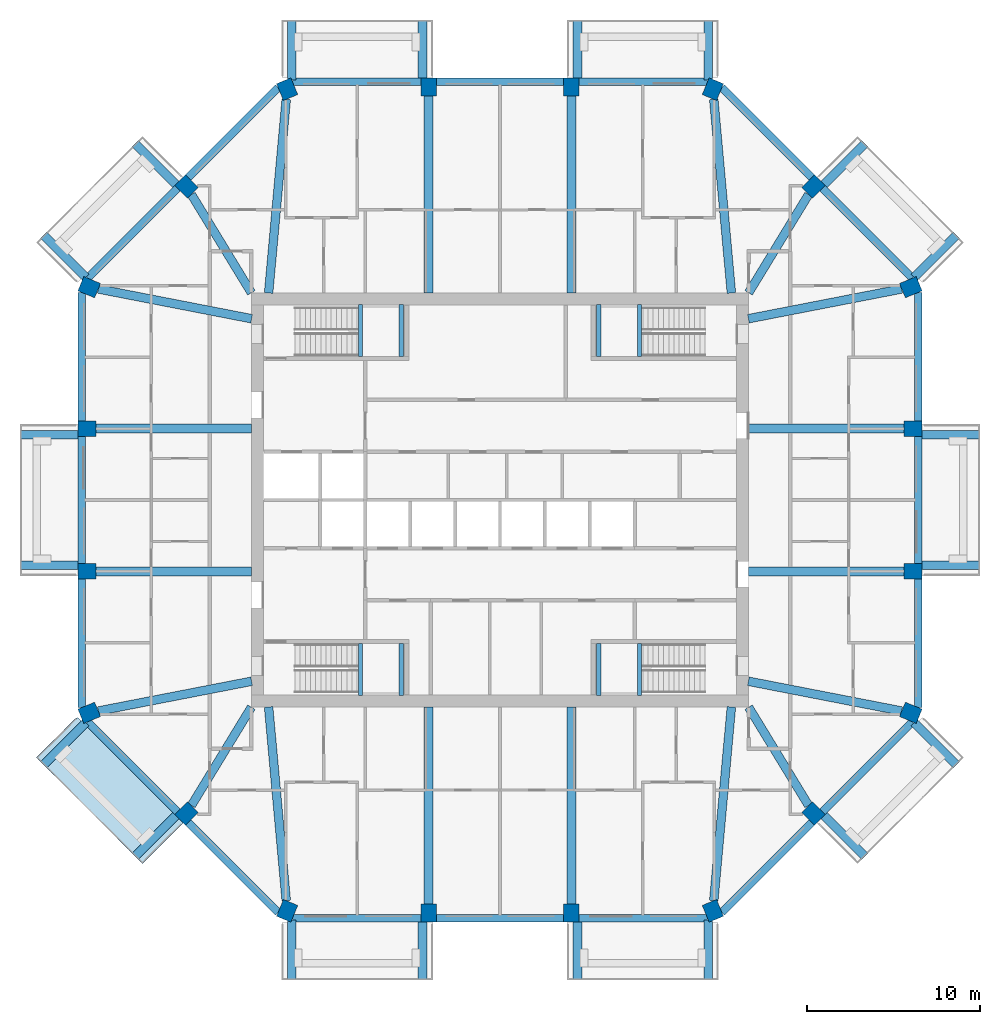
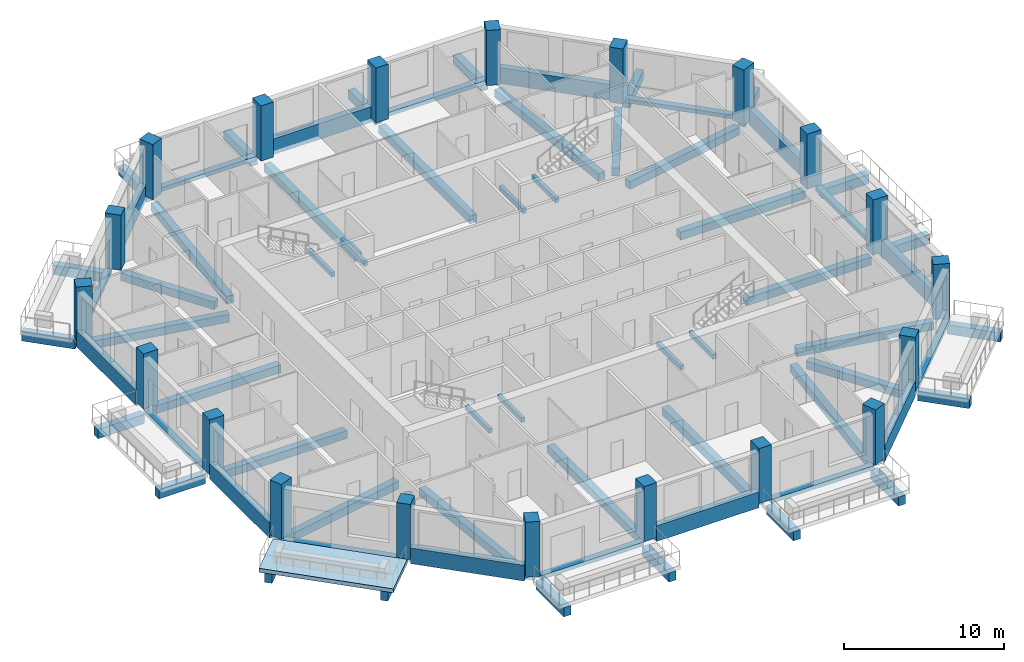
# One storey, part 1 of 12: 68 beams, 20 columns, 1 slab.
"""IFC4 building model written with IfcOpenShell, lengths in metres."""

from ifc_helpers import new_model, si_unit, direction, frame, origin, origin_2d, place, context, subcontext, project, spatial, polyline, rectangle, outline, extrude, material, layer, layer_set, material_profile, profile_set, type_object, element, save


model = new_model("IFC4")

# Units and contexts
model_context = context("Model", 3, precision=1e-05, world=origin(), true_north=direction((0.0, 1.0)))
body_context = subcontext(model_context, "Body", "Model", "MODEL_VIEW")
ifc_project = project(units=[si_unit("LENGTHUNIT", "METRE"), si_unit("AREAUNIT", "SQUARE_METRE"), si_unit("VOLUMEUNIT", "CUBIC_METRE"), si_unit("PLANEANGLEUNIT", "RADIAN"), si_unit("MASSUNIT", "GRAM", prefix="KILO")], contexts=[model_context])

# Site, building, storey
site_placement = place(None, origin())
site = spatial("IfcSite", under=ifc_project, at=site_placement, CompositionType="ELEMENT")
building_placement = place(site_placement, origin())
building = spatial("IfcBuilding", under=site, at=building_placement, Name="Msitu Wima Residences", CompositionType="ELEMENT")
storey_placement = place(building_placement, frame((0.0, 0.0, 174.89990234375)))
storey = spatial("IfcBuildingStorey", under=building, at=storey_placement, Name="L40", CompositionType="ELEMENT", Elevation=174.89990234375)

# Columns
ifc_material_1 = material(Name="Concrete C60/75", Category="concrete")
ifc_material_profile_1 = material_profile(ifc_material_1, rectangle(XDim=0.89990234375, YDim=1.050048828125, at=origin_2d()), Name="RC 900x1050")
ifc_profile_set_1 = profile_set([ifc_material_profile_1], Name="Concrete C60/75")
column_type = type_object("IfcColumnType", Name="Column RC 900x1050 Concrete C60/75", PredefinedType="COLUMN", material=ifc_profile_set_1)
for number, where, z_axis, x_axis, name in (
    (1, (23.792724609375, -12.325927734375, 0.0), (0.0, 0.0, 1.0), (0.382683496864, 0.923879505795, 0.0), "Column L40 C-E0"),
    (2, (23.925048828125, -4.13720703125, 0.0), (0.0, 0.0, 1.0), (0.0, 1.0, 0.0), "Column L40 C-E1"),
    (3, (23.925048828125, 4.13720703125, 0.0), (0.0, 0.0, 1.0), (0.0, 1.0, 0.0), "Column L40 C-E2"),
    (4, (23.792724609375, 12.325927734375, 0.0), (0.0, 0.0, 1.0), (-0.382683496864, 0.923879505795, 0.0), "Column L40 C-NE0"),
    (5, (18.15283203125, 18.15283203125, 0.0), (0.0, 0.0, 1.0), (-0.707106781187, 0.707106781187, 0.0), "Column L40 C-NE1"),
    (6, (12.325927734375, 23.792724609375, 0.0), (0.0, 0.0, 1.0), (-0.923879505795, 0.382683496864, 0.0), "Column L40 C-N0"),
    (7, (4.13720703125, 23.925048828125, 0.0), (0.0, 0.0, 1.0), (-1.0, 0.0, 0.0), "Column L40 C-N1"),
    (8, (-4.13720703125, 23.925048828125, 0.0), (0.0, 0.0, 1.0), (-1.0, 0.0, 0.0), "Column L40 C-N2"),
    (9, (-12.325927734375, 23.792724609375, 0.0), (0.0, 0.0, 1.0), (-0.923879505795, -0.382683496864, 0.0), "Column L40 C-NW0"),
    (10, (-18.15283203125, 18.15283203125, 0.0), (0.0, 0.0, 1.0), (-0.707106781187, -0.707106781187, 0.0), "Column L40 C-NW1"),
    (11, (-23.792724609375, 12.325927734375, 0.0), (0.0, 0.0, 1.0), (-0.382683496864, -0.923879505795, 0.0), "Column L40 C-W0"),
    (12, (-23.925048828125, 4.13720703125, 0.0), (0.0, 0.0, 1.0), (0.0, -1.0, 0.0), "Column L40 C-W1"),
    (13, (-23.925048828125, -4.13720703125, 0.0), (0.0, 0.0, 1.0), (0.0, -1.0, 0.0), "Column L40 C-W2"),
    (14, (-23.792724609375, -12.325927734375, 0.0), (0.0, 0.0, 1.0), (0.382683496864, -0.923879505795, 0.0), "Column L40 C-SW0"),
    (15, (-18.15283203125, -18.15283203125, 0.0), (0.0, 0.0, 1.0), (0.707106781187, -0.707106781187, 0.0), "Column L40 C-SW1"),
    (16, (-12.325927734375, -23.792724609375, 0.0), (0.0, 0.0, 1.0), (0.923879505795, -0.382683496864, 0.0), "Column L40 C-S0"),
    (17, (-4.13720703125, -23.925048828125, 0.0), (0.0, 0.0, 1.0), (1.0, 0.0, 0.0), "Column L40 C-S1"),
    (18, (4.13720703125, -23.925048828125, 0.0), (0.0, 0.0, 1.0), (1.0, 0.0, 0.0), "Column L40 C-S2"),
    (19, (12.325927734375, -23.792724609375, 0.0), (0.0, 0.0, 1.0), (0.923879505795, 0.382683496864, 0.0), "Column L40 C-SE0"),
    (20, (18.15283203125, -18.15283203125, 0.0), (0.0, 0.0, 1.0), (0.707106781187, 0.707106781187, 0.0), "Column L40 C-SE1"),
):
    element("IfcColumn", number, at=place(storey_placement, frame(where, z_axis=z_axis, x_axis=x_axis)), inside=storey, type_object=column_type, Name=name, PredefinedType="COLUMN", context=body_context, shape_type="SweptSolid", body=[
        extrude(rectangle(XDim=0.89990234375, YDim=1.050048828125, at=origin_2d()), origin(), (0.0, 0.0, 1.0), 4.2001953125),
    ])

# Beams
ifc_material_2 = material(Name="Concrete C50/60", Category="concrete")
ifc_material_profile_2 = material_profile(ifc_material_2, rectangle(XDim=0.5, YDim=0.60009765625, at=origin_2d()), Name="RC 500x600")
ifc_profile_set_2 = profile_set([ifc_material_profile_2], Name="Concrete C50/60")
beam_type_1 = type_object("IfcBeamType", Name="Beam RC 500x600 Concrete C50/60", PredefinedType="BEAM", material=ifc_profile_set_2)
beam_1_placement = place(storey_placement, frame((23.266845703125, -12.2236328125, -0.5498046875), z_axis=(-0.981627328559, 0.190808248841, 0.0), x_axis=(-0.190808248841, -0.981627328559, 0.0)))
element("IfcBeam", 21, at=beam_1_placement, inside=storey, type_object=beam_type_1, Name="Beam L40 C-E0", PredefinedType="BEAM", context=body_context, shape_type="SweptSolid", body=[
    extrude(rectangle(XDim=0.5, YDim=0.60009765625, at=origin_2d()), origin(), (0.0, 0.0, 1.0), 9.044921875),
])
for number, where, z_axis, x_axis, name in (
    (22, (23.39990234375, -4.13720703125, -0.5498046875), (-1.0, 0.0, 0.0), (0.0, -1.0, 0.0), "Beam L40 C-E1"),
    (23, (23.39990234375, 4.13720703125, -0.5498046875), (-1.0, 0.0, 0.0), (0.0, -1.0, 0.0), "Beam L40 C-E2"),
):
    element("IfcBeam", number, at=place(storey_placement, frame(where, z_axis=z_axis, x_axis=x_axis)), inside=storey, type_object=beam_type_1, Name=name, PredefinedType="BEAM", context=body_context, shape_type="SweptSolid", body=[
        extrude(rectangle(XDim=0.5, YDim=0.60009765625, at=origin_2d()), origin(), (0.0, 0.0, 1.0), 9.0),
    ])
beam_2_placement = place(storey_placement, frame((23.266845703125, 12.2236328125, -0.5498046875), z_axis=(-0.981627328559, -0.190808248841, 0.0), x_axis=(0.190808248841, -0.981627328559, 0.0)))
element("IfcBeam", 24, at=beam_2_placement, inside=storey, type_object=beam_type_1, Name="Beam L40 C-NE0", PredefinedType="BEAM", context=body_context, shape_type="SweptSolid", body=[
    extrude(rectangle(XDim=0.5, YDim=0.60009765625, at=origin_2d()), origin(), (0.0, 0.0, 1.0), 9.044921875),
])
beam_3_placement = place(storey_placement, frame((17.87158203125, 17.691650390625, -0.5498046875), z_axis=(-0.520734381113, -0.853718750132, 0.0), x_axis=(0.853718750132, -0.520734381113, 0.0)))
element("IfcBeam", 25, at=beam_3_placement, inside=storey, type_object=beam_type_1, Name="Beam L40 C-NE1", PredefinedType="BEAM", context=body_context, shape_type="SweptSolid", body=[
    extrude(rectangle(XDim=0.5, YDim=0.60009765625, at=origin_2d()), origin(), (0.0, 0.0, 1.0), 6.6669921875),
])
beam_4_placement = place(storey_placement, frame((12.379638671875, 23.2021484375, -0.5498046875), z_axis=(0.090713636077, -0.995877018627, 0.0), x_axis=(0.995877018627, 0.090713636077, 0.0)))
element("IfcBeam", 26, at=beam_4_placement, inside=storey, type_object=beam_type_1, Name="Beam L40 C-N0", PredefinedType="BEAM", context=body_context, shape_type="SweptSolid", body=[
    extrude(rectangle(XDim=0.5, YDim=0.60009765625, at=origin_2d()), origin(), (0.0, 0.0, 1.0), 11.260498046875),
])
for number, where, z_axis, x_axis, name in (
    (27, (4.13720703125, 23.39990234375, -0.5498046875), (0.0, -1.0, 0.0), (1.0, 0.0, 0.0), "Beam L40 C-N1"),
    (28, (-4.13720703125, 23.39990234375, -0.5498046875), (0.0, -1.0, 0.0), (1.0, 0.0, 0.0), "Beam L40 C-N2"),
):
    element("IfcBeam", number, at=place(storey_placement, frame(where, z_axis=z_axis, x_axis=x_axis)), inside=storey, type_object=beam_type_1, Name=name, PredefinedType="BEAM", context=body_context, shape_type="SweptSolid", body=[
        extrude(rectangle(XDim=0.5, YDim=0.60009765625, at=origin_2d()), origin(), (0.0, 0.0, 1.0), 11.39990234375),
    ])
beam_5_placement = place(storey_placement, frame((-12.379638671875, 23.2021484375, -0.5498046875), z_axis=(-0.090713636077, -0.995877018627, 0.0), x_axis=(0.995877018627, -0.090713636077, 0.0)))
element("IfcBeam", 29, at=beam_5_placement, inside=storey, type_object=beam_type_1, Name="Beam L40 C-NW0", PredefinedType="BEAM", context=body_context, shape_type="SweptSolid", body=[
    extrude(rectangle(XDim=0.5, YDim=0.60009765625, at=origin_2d()), origin(), (0.0, 0.0, 1.0), 11.260498046875),
])
beam_6_placement = place(storey_placement, frame((-17.87158203125, 17.691650390625, -0.5498046875), z_axis=(0.520734381113, -0.853718750132, 0.0), x_axis=(0.853718750132, 0.520734381113, 0.0)))
element("IfcBeam", 30, at=beam_6_placement, inside=storey, type_object=beam_type_1, Name="Beam L40 C-NW1", PredefinedType="BEAM", context=body_context, shape_type="SweptSolid", body=[
    extrude(rectangle(XDim=0.5, YDim=0.60009765625, at=origin_2d()), origin(), (0.0, 0.0, 1.0), 6.6669921875),
])
beam_7_placement = place(storey_placement, frame((-23.266845703125, 12.2236328125, -0.5498046875), z_axis=(0.981627328559, -0.190808248841, 0.0), x_axis=(0.190808248841, 0.981627328559, 0.0)))
element("IfcBeam", 31, at=beam_7_placement, inside=storey, type_object=beam_type_1, Name="Beam L40 C-W0", PredefinedType="BEAM", context=body_context, shape_type="SweptSolid", body=[
    extrude(rectangle(XDim=0.5, YDim=0.60009765625, at=origin_2d()), origin(), (0.0, 0.0, 1.0), 9.044921875),
])
for number, where, z_axis, x_axis, name in (
    (32, (-23.39990234375, 4.13720703125, -0.5498046875), (1.0, 0.0, 0.0), (0.0, 1.0, 0.0), "Beam L40 C-W1"),
    (33, (-23.39990234375, -4.13720703125, -0.5498046875), (1.0, 0.0, 0.0), (0.0, 1.0, 0.0), "Beam L40 C-W2"),
):
    element("IfcBeam", number, at=place(storey_placement, frame(where, z_axis=z_axis, x_axis=x_axis)), inside=storey, type_object=beam_type_1, Name=name, PredefinedType="BEAM", context=body_context, shape_type="SweptSolid", body=[
        extrude(rectangle(XDim=0.5, YDim=0.60009765625, at=origin_2d()), origin(), (0.0, 0.0, 1.0), 9.0),
    ])
beam_8_placement = place(storey_placement, frame((-23.266845703125, -12.2236328125, -0.5498046875), z_axis=(0.981627328559, 0.190808248841, 0.0), x_axis=(-0.190808248841, 0.981627328559, 0.0)))
element("IfcBeam", 34, at=beam_8_placement, inside=storey, type_object=beam_type_1, Name="Beam L40 C-SW0", PredefinedType="BEAM", context=body_context, shape_type="SweptSolid", body=[
    extrude(rectangle(XDim=0.5, YDim=0.60009765625, at=origin_2d()), origin(), (0.0, 0.0, 1.0), 9.044921875),
])
beam_9_placement = place(storey_placement, frame((-17.87158203125, -17.691650390625, -0.5498046875), z_axis=(0.520734381113, 0.853718750132, 0.0), x_axis=(-0.853718750132, 0.520734381113, 0.0)))
element("IfcBeam", 35, at=beam_9_placement, inside=storey, type_object=beam_type_1, Name="Beam L40 C-SW1", PredefinedType="BEAM", context=body_context, shape_type="SweptSolid", body=[
    extrude(rectangle(XDim=0.5, YDim=0.60009765625, at=origin_2d()), origin(), (0.0, 0.0, 1.0), 6.6669921875),
])
beam_10_placement = place(storey_placement, frame((-12.379638671875, -23.2021484375, -0.5498046875), z_axis=(-0.090713636077, 0.995877018627, 0.0), x_axis=(-0.995877018627, -0.090713636077, 0.0)))
element("IfcBeam", 36, at=beam_10_placement, inside=storey, type_object=beam_type_1, Name="Beam L40 C-S0", PredefinedType="BEAM", context=body_context, shape_type="SweptSolid", body=[
    extrude(rectangle(XDim=0.5, YDim=0.60009765625, at=origin_2d()), origin(), (0.0, 0.0, 1.0), 11.260498046875),
])
for number, where, z_axis, x_axis, name in (
    (37, (-4.13720703125, -23.39990234375, -0.5498046875), (0.0, 1.0, 0.0), (-1.0, 0.0, 0.0), "Beam L40 C-S1"),
    (38, (4.13720703125, -23.39990234375, -0.5498046875), (0.0, 1.0, 0.0), (-1.0, 0.0, 0.0), "Beam L40 C-S2"),
):
    element("IfcBeam", number, at=place(storey_placement, frame(where, z_axis=z_axis, x_axis=x_axis)), inside=storey, type_object=beam_type_1, Name=name, PredefinedType="BEAM", context=body_context, shape_type="SweptSolid", body=[
        extrude(rectangle(XDim=0.5, YDim=0.60009765625, at=origin_2d()), origin(), (0.0, 0.0, 1.0), 11.39990234375),
    ])
beam_11_placement = place(storey_placement, frame((12.379638671875, -23.2021484375, -0.5498046875), z_axis=(0.090713636077, 0.995877018627, 0.0), x_axis=(-0.995877018627, 0.090713636077, 0.0)))
element("IfcBeam", 39, at=beam_11_placement, inside=storey, type_object=beam_type_1, Name="Beam L40 C-SE0", PredefinedType="BEAM", context=body_context, shape_type="SweptSolid", body=[
    extrude(rectangle(XDim=0.5, YDim=0.60009765625, at=origin_2d()), origin(), (0.0, 0.0, 1.0), 11.260498046875),
])
beam_12_placement = place(storey_placement, frame((17.87158203125, -17.691650390625, -0.5498046875), z_axis=(-0.520734381113, 0.853718750132, 0.0), x_axis=(-0.853718750132, -0.520734381113, 0.0)))
element("IfcBeam", 40, at=beam_12_placement, inside=storey, type_object=beam_type_1, Name="Beam L40 C-SE1", PredefinedType="BEAM", context=body_context, shape_type="SweptSolid", body=[
    extrude(rectangle(XDim=0.5, YDim=0.60009765625, at=origin_2d()), origin(), (0.0, 0.0, 1.0), 6.6669921875),
])
ifc_material_profile_3 = material_profile(ifc_material_2, rectangle(XDim=0.5, YDim=0.699951171875, at=origin_2d()), Name="RC 500x700")
ifc_profile_set_3 = profile_set([ifc_material_profile_3], Name="Concrete C50/60")
beam_type_2 = type_object("IfcBeamType", Name="Cantilever beam RC 500x700 Concrete C50/60", PredefinedType="BEAM", material=ifc_profile_set_3)
for number, where, z_axis, x_axis, name in (
    (41, (24.449951171875, -3.787353515625, -0.64990234375), (1.0, 0.0, 0.0), (0.0, 1.0, 0.0), "Cantilever beam L40 BA-E1 A"),
    (42, (24.449951171875, 3.787353515625, -0.64990234375), (1.0, 0.0, 0.0), (0.0, 1.0, 0.0), "Cantilever beam L40 BA-E1 B"),
):
    element("IfcBeam", number, at=place(storey_placement, frame(where, z_axis=z_axis, x_axis=x_axis)), inside=storey, type_object=beam_type_2, Name=name, PredefinedType="BEAM", context=body_context, shape_type="SweptSolid", body=[
        extrude(rectangle(XDim=0.5, YDim=0.699951171875, at=origin_2d()), origin(), (0.0, 0.0, 1.0), 3.35009765625),
    ])
beam_13_placement = place(storey_placement, frame((23.986572265625, 12.893310546875, -0.64990234375), z_axis=(0.707106781187, 0.707106781187, 0.0), x_axis=(-0.707106781187, 0.707106781187, 0.0)))
element("IfcBeam", 43, at=beam_13_placement, inside=storey, type_object=beam_type_2, Name="Cantilever beam L40 BA-NE0 A", PredefinedType="BEAM", context=body_context, shape_type="SweptSolid", body=[
    extrude(rectangle(XDim=0.5, YDim=0.699951171875, at=origin_2d()), origin(), (0.0, 0.0, 1.0), 3.468994140625),
])
beam_14_placement = place(storey_placement, frame((18.771484375, 18.276611328125, -0.64990234375), z_axis=(0.707106781187, 0.707106781187, 0.0), x_axis=(-0.707106781187, 0.707106781187, 0.0)))
element("IfcBeam", 44, at=beam_14_placement, inside=storey, type_object=beam_type_2, Name="Cantilever beam L40 BA-NE0 B", PredefinedType="BEAM", context=body_context, shape_type="SweptSolid", body=[
    extrude(rectangle(XDim=0.5, YDim=0.699951171875, at=origin_2d()), origin(), (0.0, 0.0, 1.0), 3.35009765625),
])
beam_15_placement = place(storey_placement, frame((12.061767578125, 24.330810546875, -0.64990234375), z_axis=(0.0, 1.0, 0.0), x_axis=(-1.0, 0.0, 0.0)))
element("IfcBeam", 45, at=beam_15_placement, inside=storey, type_object=beam_type_2, Name="Cantilever beam L40 BA-N0 A", PredefinedType="BEAM", context=body_context, shape_type="SweptSolid", body=[
    extrude(rectangle(XDim=0.5, YDim=0.699951171875, at=origin_2d()), origin(), (0.0, 0.0, 1.0), 3.46923828125),
])
for number, where, z_axis, x_axis, name in (
    (46, (4.4873046875, 24.449951171875, -0.64990234375), (0.0, 1.0, 0.0), (-1.0, 0.0, 0.0), "Cantilever beam L40 BA-N0 B"),
    (47, (-4.4873046875, 24.449951171875, -0.64990234375), (0.0, 1.0, 0.0), (-1.0, 0.0, 0.0), "Cantilever beam L40 BA-N2 A"),
):
    element("IfcBeam", number, at=place(storey_placement, frame(where, z_axis=z_axis, x_axis=x_axis)), inside=storey, type_object=beam_type_2, Name=name, PredefinedType="BEAM", context=body_context, shape_type="SweptSolid", body=[
        extrude(rectangle(XDim=0.5, YDim=0.699951171875, at=origin_2d()), origin(), (0.0, 0.0, 1.0), 3.35009765625),
    ])
beam_16_placement = place(storey_placement, frame((-12.061767578125, 24.330810546875, -0.64990234375), z_axis=(0.0, 1.0, 0.0), x_axis=(-1.0, 0.0, 0.0)))
element("IfcBeam", 48, at=beam_16_placement, inside=storey, type_object=beam_type_2, Name="Cantilever beam L40 BA-N2 B", PredefinedType="BEAM", context=body_context, shape_type="SweptSolid", body=[
    extrude(rectangle(XDim=0.5, YDim=0.699951171875, at=origin_2d()), origin(), (0.0, 0.0, 1.0), 3.46923828125),
])
beam_17_placement = place(storey_placement, frame((-18.771484375, 18.276611328125, -0.64990234375), z_axis=(-0.707106781187, 0.707106781187, 0.0), x_axis=(-0.707106781187, -0.707106781187, 0.0)))
element("IfcBeam", 49, at=beam_17_placement, inside=storey, type_object=beam_type_2, Name="Cantilever beam L40 BA-NW1 A", PredefinedType="BEAM", context=body_context, shape_type="SweptSolid", body=[
    extrude(rectangle(XDim=0.5, YDim=0.699951171875, at=origin_2d()), origin(), (0.0, 0.0, 1.0), 3.35009765625),
])
beam_18_placement = place(storey_placement, frame((-23.986572265625, 12.893310546875, -0.64990234375), z_axis=(-0.707106781187, 0.707106781187, 0.0), x_axis=(-0.707106781187, -0.707106781187, 0.0)))
element("IfcBeam", 50, at=beam_18_placement, inside=storey, type_object=beam_type_2, Name="Cantilever beam L40 BA-NW1 B", PredefinedType="BEAM", context=body_context, shape_type="SweptSolid", body=[
    extrude(rectangle(XDim=0.5, YDim=0.699951171875, at=origin_2d()), origin(), (0.0, 0.0, 1.0), 3.468994140625),
])
for number, where, z_axis, x_axis, name in (
    (51, (-24.449951171875, 3.787353515625, -0.64990234375), (-1.0, 0.0, 0.0), (0.0, -1.0, 0.0), "Cantilever beam L40 BA-W1 A"),
    (52, (-24.449951171875, -3.787353515625, -0.64990234375), (-1.0, 0.0, 0.0), (0.0, -1.0, 0.0), "Cantilever beam L40 BA-W1 B"),
):
    element("IfcBeam", number, at=place(storey_placement, frame(where, z_axis=z_axis, x_axis=x_axis)), inside=storey, type_object=beam_type_2, Name=name, PredefinedType="BEAM", context=body_context, shape_type="SweptSolid", body=[
        extrude(rectangle(XDim=0.5, YDim=0.699951171875, at=origin_2d()), origin(), (0.0, 0.0, 1.0), 3.35009765625),
    ])
beam_19_placement = place(storey_placement, frame((-23.986572265625, -12.893310546875, -0.64990234375), z_axis=(-0.707106781187, -0.707106781187, 0.0), x_axis=(0.707106781187, -0.707106781187, 0.0)))
element("IfcBeam", 53, at=beam_19_placement, inside=storey, type_object=beam_type_2, Name="Cantilever beam L40 BA-SW0 A", PredefinedType="BEAM", context=body_context, shape_type="SweptSolid", body=[
    extrude(rectangle(XDim=0.5, YDim=0.699951171875, at=origin_2d()), origin(), (0.0, 0.0, 1.0), 3.468994140625),
])
beam_20_placement = place(storey_placement, frame((-18.771484375, -18.276611328125, -0.64990234375), z_axis=(-0.707106781187, -0.707106781187, 0.0), x_axis=(0.707106781187, -0.707106781187, 0.0)))
element("IfcBeam", 54, at=beam_20_placement, inside=storey, type_object=beam_type_2, Name="Cantilever beam L40 BA-SW0 B", PredefinedType="BEAM", context=body_context, shape_type="SweptSolid", body=[
    extrude(rectangle(XDim=0.5, YDim=0.699951171875, at=origin_2d()), origin(), (0.0, 0.0, 1.0), 3.35009765625),
])
beam_21_placement = place(storey_placement, frame((-12.061767578125, -24.330810546875, -0.64990234375), z_axis=(0.0, -1.0, 0.0), x_axis=(1.0, 0.0, 0.0)))
element("IfcBeam", 55, at=beam_21_placement, inside=storey, type_object=beam_type_2, Name="Cantilever beam L40 BA-S0 A", PredefinedType="BEAM", context=body_context, shape_type="SweptSolid", body=[
    extrude(rectangle(XDim=0.5, YDim=0.699951171875, at=origin_2d()), origin(), (0.0, 0.0, 1.0), 3.46923828125),
])
for number, where, z_axis, x_axis, name in (
    (56, (-4.4873046875, -24.449951171875, -0.64990234375), (0.0, -1.0, 0.0), (1.0, 0.0, 0.0), "Cantilever beam L40 BA-S0 B"),
    (57, (4.4873046875, -24.449951171875, -0.64990234375), (0.0, -1.0, 0.0), (1.0, 0.0, 0.0), "Cantilever beam L40 BA-S2 A"),
):
    element("IfcBeam", number, at=place(storey_placement, frame(where, z_axis=z_axis, x_axis=x_axis)), inside=storey, type_object=beam_type_2, Name=name, PredefinedType="BEAM", context=body_context, shape_type="SweptSolid", body=[
        extrude(rectangle(XDim=0.5, YDim=0.699951171875, at=origin_2d()), origin(), (0.0, 0.0, 1.0), 3.35009765625),
    ])
beam_22_placement = place(storey_placement, frame((12.061767578125, -24.330810546875, -0.64990234375), z_axis=(0.0, -1.0, 0.0), x_axis=(1.0, 0.0, 0.0)))
element("IfcBeam", 58, at=beam_22_placement, inside=storey, type_object=beam_type_2, Name="Cantilever beam L40 BA-S2 B", PredefinedType="BEAM", context=body_context, shape_type="SweptSolid", body=[
    extrude(rectangle(XDim=0.5, YDim=0.699951171875, at=origin_2d()), origin(), (0.0, 0.0, 1.0), 3.46923828125),
])
beam_23_placement = place(storey_placement, frame((18.771484375, -18.276611328125, -0.64990234375), z_axis=(0.707106781187, -0.707106781187, 0.0), x_axis=(0.707106781187, 0.707106781187, 0.0)))
element("IfcBeam", 59, at=beam_23_placement, inside=storey, type_object=beam_type_2, Name="Cantilever beam L40 BA-SE1 A", PredefinedType="BEAM", context=body_context, shape_type="SweptSolid", body=[
    extrude(rectangle(XDim=0.5, YDim=0.699951171875, at=origin_2d()), origin(), (0.0, 0.0, 1.0), 3.35009765625),
])
beam_24_placement = place(storey_placement, frame((23.986572265625, -12.893310546875, -0.64990234375), z_axis=(0.707106781187, -0.707106781187, 0.0), x_axis=(0.707106781187, 0.707106781187, 0.0)))
element("IfcBeam", 60, at=beam_24_placement, inside=storey, type_object=beam_type_2, Name="Cantilever beam L40 BA-SE1 B", PredefinedType="BEAM", context=body_context, shape_type="SweptSolid", body=[
    extrude(rectangle(XDim=0.5, YDim=0.699951171875, at=origin_2d()), origin(), (0.0, 0.0, 1.0), 3.468994140625),
])
ifc_material_profile_4 = material_profile(ifc_material_2, rectangle(XDim=0.449951171875, YDim=0.300048828125, at=origin_2d()), Name="RC 450x300")
ifc_profile_set_4 = profile_set([ifc_material_profile_4], Name="Concrete C50/60")
beam_type_3 = type_object("IfcBeamType", Name="Edge beam RC 450x300 Concrete C50/60", PredefinedType="SPANDREL", material=ifc_profile_set_4)
beam_25_placement = place(storey_placement, frame((24.22509765625, -3.687255859375, -0.14990234375), z_axis=(0.0, 1.0, 0.0), x_axis=(-1.0, 0.0, 0.0)))
element("IfcBeam", 61, at=beam_25_placement, inside=storey, type_object=beam_type_3, Name="Spandrel L40 E1", PredefinedType="SPANDREL", context=body_context, shape_type="SweptSolid", body=[
    extrude(rectangle(XDim=0.449951171875, YDim=0.300048828125, at=origin_2d()), origin(), (0.0, 0.0, 1.0), 7.37451171875),
])
beam_26_placement = place(storey_placement, frame((23.88916015625, 12.8408203125, -0.14990234375), z_axis=(-0.707106781187, 0.707106781187, 0.0), x_axis=(-0.707106781187, -0.707106781187, 0.0)))
element("IfcBeam", 62, at=beam_26_placement, inside=storey, type_object=beam_type_3, Name="Spandrel L40 NE0", PredefinedType="SPANDREL", context=body_context, shape_type="SweptSolid", body=[
    extrude(rectangle(XDim=0.449951171875, YDim=0.300048828125, at=origin_2d()), origin(), (0.0, 0.0, 1.0), 7.362548828125),
])
for number, where, z_axis, x_axis, name in (
    (63, (12.02978515625, 24.22509765625, -0.14990234375), (-1.0, 0.0, 0.0), (0.0, -1.0, 0.0), "Spandrel L40 N0"),
    (64, (-4.587158203125, 24.22509765625, -0.14990234375), (-1.0, 0.0, 0.0), (0.0, -1.0, 0.0), "Spandrel L40 N2"),
):
    element("IfcBeam", number, at=place(storey_placement, frame(where, z_axis=z_axis, x_axis=x_axis)), inside=storey, type_object=beam_type_3, Name=name, PredefinedType="SPANDREL", context=body_context, shape_type="SweptSolid", body=[
        extrude(rectangle(XDim=0.449951171875, YDim=0.300048828125, at=origin_2d()), origin(), (0.0, 0.0, 1.0), 7.442626953125),
    ])
beam_27_placement = place(storey_placement, frame((-18.68310546875, 18.046875, -0.14990234375), z_axis=(-0.707106781187, -0.707106781187, 0.0), x_axis=(0.707106781187, -0.707106781187, 0.0)))
element("IfcBeam", 65, at=beam_27_placement, inside=storey, type_object=beam_type_3, Name="Spandrel L40 NW1", PredefinedType="SPANDREL", context=body_context, shape_type="SweptSolid", body=[
    extrude(rectangle(XDim=0.449951171875, YDim=0.300048828125, at=origin_2d()), origin(), (0.0, 0.0, 1.0), 7.362548828125),
])
beam_28_placement = place(storey_placement, frame((-24.22509765625, 3.687255859375, -0.14990234375), z_axis=(0.0, -1.0, 0.0), x_axis=(1.0, 0.0, 0.0)))
element("IfcBeam", 66, at=beam_28_placement, inside=storey, type_object=beam_type_3, Name="Spandrel L40 W1", PredefinedType="SPANDREL", context=body_context, shape_type="SweptSolid", body=[
    extrude(rectangle(XDim=0.449951171875, YDim=0.300048828125, at=origin_2d()), origin(), (0.0, 0.0, 1.0), 7.37451171875),
])
beam_29_placement = place(storey_placement, frame((-23.88916015625, -12.8408203125, -0.14990234375), z_axis=(0.707106781187, -0.707106781187, 0.0), x_axis=(0.707106781187, 0.707106781187, 0.0)))
element("IfcBeam", 67, at=beam_29_placement, inside=storey, type_object=beam_type_3, Name="Spandrel L40 SW0", PredefinedType="SPANDREL", context=body_context, shape_type="SweptSolid", body=[
    extrude(rectangle(XDim=0.449951171875, YDim=0.300048828125, at=origin_2d()), origin(), (0.0, 0.0, 1.0), 7.362548828125),
])
for number, where, z_axis, x_axis, name in (
    (68, (-12.02978515625, -24.22509765625, -0.14990234375), (1.0, 0.0, 0.0), (0.0, 1.0, 0.0), "Spandrel L40 S0"),
    (69, (4.587158203125, -24.22509765625, -0.14990234375), (1.0, 0.0, 0.0), (0.0, 1.0, 0.0), "Spandrel L40 S2"),
):
    element("IfcBeam", number, at=place(storey_placement, frame(where, z_axis=z_axis, x_axis=x_axis)), inside=storey, type_object=beam_type_3, Name=name, PredefinedType="SPANDREL", context=body_context, shape_type="SweptSolid", body=[
        extrude(rectangle(XDim=0.449951171875, YDim=0.300048828125, at=origin_2d()), origin(), (0.0, 0.0, 1.0), 7.442626953125),
    ])
beam_30_placement = place(storey_placement, frame((18.68310546875, -18.046875, -0.14990234375), z_axis=(0.707106781187, 0.707106781187, 0.0), x_axis=(-0.707106781187, 0.707106781187, 0.0)))
element("IfcBeam", 70, at=beam_30_placement, inside=storey, type_object=beam_type_3, Name="Spandrel L40 SE1", PredefinedType="SPANDREL", context=body_context, shape_type="SweptSolid", body=[
    extrude(rectangle(XDim=0.449951171875, YDim=0.300048828125, at=origin_2d()), origin(), (0.0, 0.0, 1.0), 7.362548828125),
])
ifc_material_3 = material(Name="Concrete C40/50", Category="concrete")
ifc_material_profile_5 = material_profile(ifc_material_3, rectangle(XDim=0.25, YDim=0.35009765625, at=origin_2d()), Name="RC 250x350")
ifc_profile_set_5 = profile_set([ifc_material_profile_5], Name="Concrete C40/50")
beam_type_4 = type_object("IfcBeamType", Name="Landing beam RC 250x350", PredefinedType="BEAM", material=ifc_profile_set_5)
for number, where, z_axis, x_axis, name in (
    (71, (-8.074951171875, 8.324951171875, 1.72509765625), (0.0, 1.0, 0.0), (-1.0, 0.0, 0.0), "Stair 1 landing beam"),
    (72, (-5.72509765625, 8.324951171875, 1.72509765625), (0.0, 1.0, 0.0), (-1.0, 0.0, 0.0), "Stair 1 landing beam"),
    (73, (-8.074951171875, -11.324951171875, 1.72509765625), (0.0, 1.0, 0.0), (-1.0, 0.0, 0.0), "Stair 2 landing beam"),
    (74, (-5.72509765625, -11.324951171875, 1.72509765625), (0.0, 1.0, 0.0), (-1.0, 0.0, 0.0), "Stair 2 landing beam"),
    (75, (8.074951171875, 8.324951171875, 1.72509765625), (0.0, 1.0, 0.0), (-1.0, 0.0, 0.0), "Stair 3 landing beam"),
    (76, (5.72509765625, 8.324951171875, 1.72509765625), (0.0, 1.0, 0.0), (-1.0, 0.0, 0.0), "Stair 3 landing beam"),
    (77, (8.074951171875, -11.324951171875, 1.72509765625), (0.0, 1.0, 0.0), (-1.0, 0.0, 0.0), "Stair 4 landing beam"),
    (78, (5.72509765625, -11.324951171875, 1.72509765625), (0.0, 1.0, 0.0), (-1.0, 0.0, 0.0), "Stair 4 landing beam"),
):
    element("IfcBeam", number, at=place(storey_placement, frame(where, z_axis=z_axis, x_axis=x_axis)), inside=storey, type_object=beam_type_4, Name=name, PredefinedType="BEAM", context=body_context, shape_type="SweptSolid", body=[
        extrude(rectangle(XDim=0.25, YDim=0.35009765625, at=origin_2d()), origin(), (0.0, 0.0, 1.0), 3.0),
    ])
ifc_material_profile_6 = material_profile(ifc_material_2, rectangle(XDim=0.449951171875, YDim=1.199951171875, at=origin_2d()), Name="RC 450x1200")
ifc_profile_set_6 = profile_set([ifc_material_profile_6], Name="Concrete C50/60")
beam_type_5 = type_object("IfcBeamType", Name="Spandrel RC 450x1200 Concrete C50/60", PredefinedType="SPANDREL", material=ifc_profile_set_6)
for number, where, z_axis, x_axis, name in (
    (79, (24.22509765625, -12.02978515625, 0.300048828125), (0.0, 1.0, 0.0), (-1.0, 0.0, 0.0), "Spandrel L40 E0"),
    (80, (24.22509765625, 4.587158203125, 0.300048828125), (0.0, 1.0, 0.0), (-1.0, 0.0, 0.0), "Spandrel L40 E2"),
):
    element("IfcBeam", number, at=place(storey_placement, frame(where, z_axis=z_axis, x_axis=x_axis)), inside=storey, type_object=beam_type_5, Name=name, PredefinedType="SPANDREL", context=body_context, shape_type="SweptSolid", body=[
        extrude(rectangle(XDim=0.449951171875, YDim=1.199951171875, at=origin_2d()), origin(), (0.0, 0.0, 1.0), 7.442626953125),
    ])
beam_31_placement = place(storey_placement, frame((18.046875, 18.68310546875, 0.300048828125), z_axis=(-0.707106781187, 0.707106781187, 0.0), x_axis=(-0.707106781187, -0.707106781187, 0.0)))
element("IfcBeam", 81, at=beam_31_placement, inside=storey, type_object=beam_type_5, Name="Spandrel L40 NE1", PredefinedType="SPANDREL", context=body_context, shape_type="SweptSolid", body=[
    extrude(rectangle(XDim=0.449951171875, YDim=1.199951171875, at=origin_2d()), origin(), (0.0, 0.0, 1.0), 7.362548828125),
])
beam_32_placement = place(storey_placement, frame((3.687255859375, 24.22509765625, 0.300048828125), z_axis=(-1.0, 0.0, 0.0), x_axis=(0.0, -1.0, 0.0)))
element("IfcBeam", 82, at=beam_32_placement, inside=storey, type_object=beam_type_5, Name="Spandrel L40 N1", PredefinedType="SPANDREL", context=body_context, shape_type="SweptSolid", body=[
    extrude(rectangle(XDim=0.449951171875, YDim=1.199951171875, at=origin_2d()), origin(), (0.0, 0.0, 1.0), 7.37451171875),
])
beam_33_placement = place(storey_placement, frame((-12.8408203125, 23.88916015625, 0.300048828125), z_axis=(-0.707106781187, -0.707106781187, 0.0), x_axis=(0.707106781187, -0.707106781187, 0.0)))
element("IfcBeam", 83, at=beam_33_placement, inside=storey, type_object=beam_type_5, Name="Spandrel L40 NW0", PredefinedType="SPANDREL", context=body_context, shape_type="SweptSolid", body=[
    extrude(rectangle(XDim=0.449951171875, YDim=1.199951171875, at=origin_2d()), origin(), (0.0, 0.0, 1.0), 7.362548828125),
])
for number, where, z_axis, x_axis, name in (
    (84, (-24.22509765625, 12.02978515625, 0.300048828125), (0.0, -1.0, 0.0), (1.0, 0.0, 0.0), "Spandrel L40 W0"),
    (85, (-24.22509765625, -4.587158203125, 0.300048828125), (0.0, -1.0, 0.0), (1.0, 0.0, 0.0), "Spandrel L40 W2"),
):
    element("IfcBeam", number, at=place(storey_placement, frame(where, z_axis=z_axis, x_axis=x_axis)), inside=storey, type_object=beam_type_5, Name=name, PredefinedType="SPANDREL", context=body_context, shape_type="SweptSolid", body=[
        extrude(rectangle(XDim=0.449951171875, YDim=1.199951171875, at=origin_2d()), origin(), (0.0, 0.0, 1.0), 7.442626953125),
    ])
beam_34_placement = place(storey_placement, frame((-18.046875, -18.68310546875, 0.300048828125), z_axis=(0.707106781187, -0.707106781187, 0.0), x_axis=(0.707106781187, 0.707106781187, 0.0)))
element("IfcBeam", 86, at=beam_34_placement, inside=storey, type_object=beam_type_5, Name="Spandrel L40 SW1", PredefinedType="SPANDREL", context=body_context, shape_type="SweptSolid", body=[
    extrude(rectangle(XDim=0.449951171875, YDim=1.199951171875, at=origin_2d()), origin(), (0.0, 0.0, 1.0), 7.362548828125),
])
beam_35_placement = place(storey_placement, frame((-3.687255859375, -24.22509765625, 0.300048828125), z_axis=(1.0, 0.0, 0.0), x_axis=(0.0, 1.0, 0.0)))
element("IfcBeam", 87, at=beam_35_placement, inside=storey, type_object=beam_type_5, Name="Spandrel L40 S1", PredefinedType="SPANDREL", context=body_context, shape_type="SweptSolid", body=[
    extrude(rectangle(XDim=0.449951171875, YDim=1.199951171875, at=origin_2d()), origin(), (0.0, 0.0, 1.0), 7.37451171875),
])
beam_36_placement = place(storey_placement, frame((12.8408203125, -23.88916015625, 0.300048828125), z_axis=(0.707106781187, 0.707106781187, 0.0), x_axis=(-0.707106781187, 0.707106781187, 0.0)))
element("IfcBeam", 88, at=beam_36_placement, inside=storey, type_object=beam_type_5, Name="Spandrel L40 SE0", PredefinedType="SPANDREL", context=body_context, shape_type="SweptSolid", body=[
    extrude(rectangle(XDim=0.449951171875, YDim=1.199951171875, at=origin_2d()), origin(), (0.0, 0.0, 1.0), 7.362548828125),
])

# Slab
ifc_layer = layer(ifc_material_3, 0.300048828125)
ifc_layer_set = layer_set([ifc_layer], Name="Concrete C40/50")
slab_type = type_object("IfcSlabType", Name="Balcony slab BS300", PredefinedType="FLOOR", material=ifc_layer_set)
slab_placement = place(storey_placement, frame((0.0, 0.0, -0.2998046875)))
element("IfcSlab", 89, at=slab_placement, inside=storey, type_object=slab_type, Name="Balcony SW0 L40", PredefinedType="FLOOR", context=body_context, shape_type="SweptSolid", body=[
    extrude(outline(polyline([(-24.10546875, -12.942626953125), (-24.10546875, -12.942626953125), (-18.347412109375, -18.700927734375), (-20.716064453125, -21.069580078125), (-26.86376953125, -14.922119140625), (-24.603515625, -12.661865234375), (-24.449951171875, -12.59814453125), (-24.10546875, -12.942626953125), (-24.10546875, -12.942626953125)])), origin(), (0.0, 0.0, 1.0), 0.2998046875),
])

save(model, "model.ifc")
